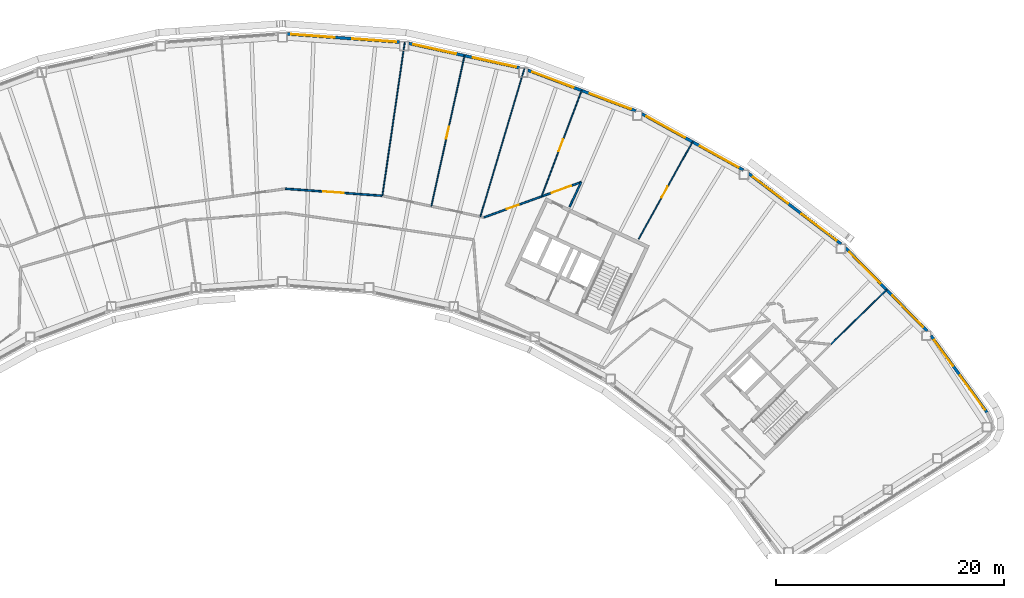
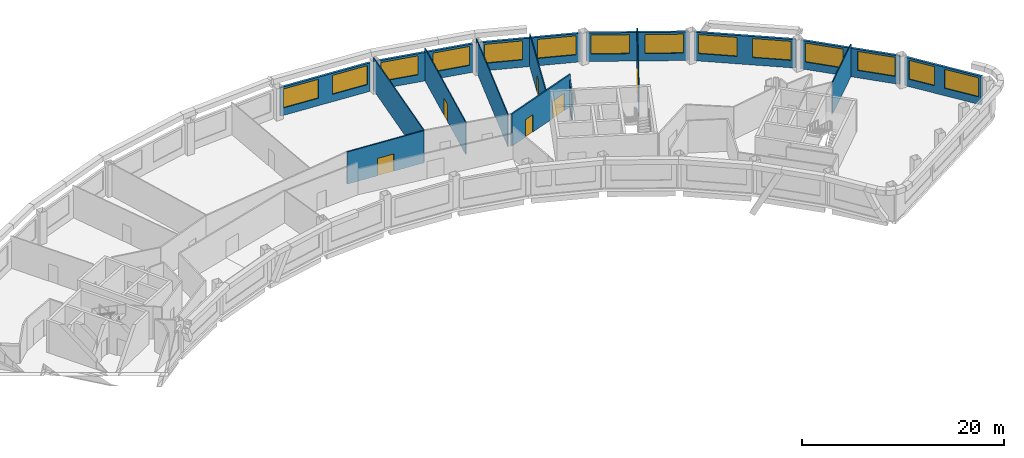
# One storey, part 10 of 13: 16 walls, 14 windows, 6 doors, 20 openings.
"""IFC4 building model written with IfcOpenShell, lengths in metres."""

from ifc_helpers import new_model, si_unit, direction, frame, frame_2d, origin, place, context, subcontext, project, spatial, rectangle, extrude, material, layer, layer_set, type_object, element, fill, save


model = new_model("IFC4")

# Units and contexts
model_context = context("Model", 3, precision=1e-05, world=origin(), true_north=direction((0.0, 1.0)))
body_context = subcontext(model_context, "Body", "Model", "MODEL_VIEW")
ifc_project = project(units=[si_unit("LENGTHUNIT", "METRE"), si_unit("AREAUNIT", "SQUARE_METRE"), si_unit("VOLUMEUNIT", "CUBIC_METRE"), si_unit("PLANEANGLEUNIT", "RADIAN"), si_unit("MASSUNIT", "GRAM", prefix="KILO")], contexts=[model_context])

# Site, building, storey
site_placement = place(None, origin())
site = spatial("IfcSite", under=ifc_project, at=site_placement, CompositionType="ELEMENT")
building_placement = place(site_placement, origin())
building = spatial("IfcBuilding", under=site, at=building_placement, Name="Tuul Gate Civic Tower", CompositionType="ELEMENT")
storey_placement = place(building_placement, frame((0.0, 0.0, 230.5)))
storey = spatial("IfcBuildingStorey", under=building, at=storey_placement, Name="Level 52", CompositionType="ELEMENT", Elevation=230.5)

# Wall, openings, doors
ifc_material_1 = material(Name="Gypsum board partition")
ifc_layer_1 = layer(ifc_material_1, 0.14990234375)
ifc_layer_set_1 = layer_set([ifc_layer_1], Name="Gypsum board partition")
wall_type_1 = type_object("IfcWallType", Name="Corridor wall P150", PredefinedType="PARTITIONING", material=ifc_layer_set_1)
wall_1_placement = place(storey_placement, frame((23.570556640625, 2.8076171875, 0.0), z_axis=(0.0, 0.0, 1.0), x_axis=(0.940140059984, 0.340788303222, 0.0)))
wall_1 = element("IfcWall", 1, at=wall_1_placement, inside=storey, type_object=wall_type_1, Name="p022", PredefinedType="PARTITIONING", context=body_context, shape_type="SweptSolid", body=[
    extrude(rectangle(XDim=9.055908203125, YDim=0.14990234375, at=frame_2d((4.52783203125, 0.0))), origin(), (0.0, 0.0, 1.0), 3.89990234375),
])
opening_1_placement = place(wall_1_placement, frame((6.312255859375, 0.0, 0.0)))
opening_1 = element("IfcOpeningElement", 2, at=opening_1_placement, cuts=wall_1, Name="Opening S-D03", PredefinedType="OPENING", context=body_context, shape_type="SweptSolid", body=[
    extrude(rectangle(XDim=1.800048828125, YDim=2.10009765625, at=frame_2d((0.89990234375, 1.050048828125))), frame((0.0, 0.0849609375, 0.0), z_axis=(0.0, -1.0, 0.0), x_axis=(1.0, 0.0, 0.0)), (0.0, 0.0, 1.0), 0.169921875),
])
opening_2_placement = place(wall_1_placement, frame((2.13427734375, 0.0, 0.0)))
opening_2 = element("IfcOpeningElement", 3, at=opening_2_placement, cuts=wall_1, Name="Opening S-D041", PredefinedType="OPENING", context=body_context, shape_type="SweptSolid", body=[
    extrude(rectangle(XDim=1.10009765625, YDim=2.10009765625, at=frame_2d((0.550048828125, 1.050048828125))), frame((0.0, 0.0849609375, 0.0), z_axis=(0.0, -1.0, 0.0), x_axis=(1.0, 0.0, 0.0)), (0.0, 0.0, 1.0), 0.169921875),
])
ifc_material_2 = material(Name="Timber door leaf", Category="wood")
door_type_1 = type_object("IfcDoorType", Name="Door D11", OperationType="NOTDEFINED", PredefinedType="DOOR", material=ifc_material_2)
door_1_placement = place(opening_2_placement, origin())
door_1 = element("IfcDoor", 4, at=door_1_placement, inside=storey, type_object=door_type_1, Name="Door S-D04", OperationType="SINGLE_SWING_RIGHT", OverallHeight=2.10009765625, OverallWidth=1.10009765625, PredefinedType="DOOR", context=body_context, shape_type="SweptSolid", body=[
    extrude(rectangle(XDim=1.10009765625, YDim=2.10009765625, at=frame_2d((0.550048828125, 1.050048828125))), frame((0.0, 0.02490234375, 0.0), z_axis=(0.0, -1.0, 0.0), x_axis=(1.0, 0.0, 0.0)), (0.0, 0.0, 1.0), 0.050048828125),
])
fill(opening_2, door_1)
ifc_material_3 = material(Name="Timber door leaf, double", Category="wood")
door_type_2 = type_object("IfcDoorType", Name="Door D18", OperationType="DOUBLE_DOOR_SINGLE_SWING", PredefinedType="DOOR", material=ifc_material_3)
door_2_placement = place(opening_1_placement, origin())
door_2 = element("IfcDoor", 5, at=door_2_placement, inside=storey, type_object=door_type_2, Name="Door S-D03", OperationType="DOUBLE_DOOR_SINGLE_SWING", OverallHeight=2.10009765625, OverallWidth=1.800048828125, PredefinedType="DOOR", context=body_context, shape_type="SweptSolid", body=[
    extrude(rectangle(XDim=1.800048828125, YDim=2.10009765625, at=frame_2d((0.89990234375, 1.050048828125))), frame((0.0, 0.02490234375, 0.0), z_axis=(0.0, -1.0, 0.0), x_axis=(1.0, 0.0, 0.0)), (0.0, 0.0, 1.0), 0.050048828125),
])
fill(opening_1, door_2)

# Wall, opening, door
wall_2_placement = place(storey_placement, frame((6.19775390625, 5.31201171875, 0.0), z_axis=(0.0, 0.0, 1.0), x_axis=(0.997387147359, -0.072241804261, 0.0)))
wall_2 = element("IfcWall", 6, at=wall_2_placement, inside=storey, type_object=wall_type_1, Name="p028", PredefinedType="PARTITIONING", context=body_context, shape_type="SweptSolid", body=[
    extrude(rectangle(XDim=8.458984375, YDim=0.14990234375, at=frame_2d((4.2294921875, 0.0))), origin(), (0.0, 0.0, 1.0), 3.89990234375),
])
opening_3_placement = place(wall_2_placement, frame((3.329345703125, 0.0, 0.0)))
opening_3 = element("IfcOpeningElement", 7, at=opening_3_placement, cuts=wall_2, Name="Opening S-D07", PredefinedType="OPENING", context=body_context, shape_type="SweptSolid", body=[
    extrude(rectangle(XDim=1.800048828125, YDim=2.10009765625, at=frame_2d((0.89990234375, 1.050048828125))), frame((0.0, 0.0849609375, 0.0), z_axis=(0.0, -1.0, 0.0), x_axis=(1.0, 0.0, 0.0)), (0.0, 0.0, 1.0), 0.169921875),
])
door_3_placement = place(opening_3_placement, origin())
door_3 = element("IfcDoor", 8, at=door_3_placement, inside=storey, type_object=door_type_2, Name="Door S-D07", OperationType="DOUBLE_DOOR_SINGLE_SWING", OverallHeight=2.10009765625, OverallWidth=1.800048828125, PredefinedType="DOOR", context=body_context, shape_type="SweptSolid", body=[
    extrude(rectangle(XDim=1.800048828125, YDim=2.10009765625, at=frame_2d((0.89990234375, 1.050048828125))), frame((0.0, 0.02490234375, 0.0), z_axis=(0.0, -1.0, 0.0), x_axis=(1.0, 0.0, 0.0)), (0.0, 0.0, 1.0), 0.050048828125),
])
fill(opening_3, door_3)

# Wall
ifc_material_4 = material(Name="Gypsum board partition")
ifc_layer_2 = layer(ifc_material_4, 0.14990234375)
ifc_layer_set_2 = layer_set([ifc_layer_2], Name="Gypsum board partition")
wall_type_2 = type_object("IfcWallType", Name="Corridor wall P150 3250 HIGH", PredefinedType="PARTITIONING", material=ifc_layer_set_2)
wall_3_placement = place(storey_placement, frame((31.07861328125, 3.7373046875, 0.0), z_axis=(0.0, 0.0, 1.0), x_axis=(0.42271133736, 0.906264379344, 0.0)))
element("IfcWall", 9, at=wall_3_placement, inside=storey, type_object=wall_type_2, Name="p021", PredefinedType="PARTITIONING", context=body_context, shape_type="SweptSolid", body=[
    extrude(rectangle(XDim=2.379638671875, YDim=0.14990234375, at=frame_2d((1.18994140625, 0.0))), origin(), (0.0, 0.0, 1.0), 3.25),
])

# Wall, openings, windows
ifc_material_5 = material(Name="Precast concrete C40/50", Category="concrete")
ifc_layer_3 = layer(ifc_material_5, 0.25)
ifc_layer_set_3 = layer_set([ifc_layer_3], Name="Precast concrete C40/50")
wall_type_3 = type_object("IfcWallType", Name="External wall", PredefinedType="STANDARD", material=ifc_layer_set_3)
wall_4_placement = place(storey_placement, frame((67.629150390625, -14.27978515625, 0.0), z_axis=(0.0, 0.0, 1.0), x_axis=(-0.589826404933, 0.807530068817, 0.0)))
wall_4 = element("IfcWall", 10, at=wall_4_placement, inside=storey, type_object=wall_type_3, Name="External wall", PredefinedType="STANDARD", context=body_context, shape_type="SweptSolid", body=[
    extrude(rectangle(XDim=8.336669921875, YDim=0.25, at=frame_2d((4.16845703125, 0.0))), origin(), (0.0, 0.0, 1.0), 3.449951171875),
])
opening_4_placement = place(wall_4_placement, frame((0.30078125, 0.0, 0.89990234375)))
opening_4 = element("IfcOpeningElement", 11, at=opening_4_placement, cuts=wall_4, Name="Opening W21", PredefinedType="OPENING", context=body_context, shape_type="SweptSolid", body=[
    extrude(rectangle(XDim=3.699951171875, YDim=2.300048828125, at=frame_2d((1.85009765625, 1.14990234375))), frame((0.0, 0.135009765625, 0.0), z_axis=(0.0, -1.0, 0.0), x_axis=(1.0, 0.0, 0.0)), (0.0, 0.0, 1.0), 0.27001953125),
])
opening_5_placement = place(wall_4_placement, frame((5.052001953125, 0.0, 0.89990234375)))
opening_5 = element("IfcOpeningElement", 12, at=opening_5_placement, cuts=wall_4, Name="Opening W23", PredefinedType="OPENING", context=body_context, shape_type="SweptSolid", body=[
    extrude(rectangle(XDim=2.800048828125, YDim=2.300048828125, at=frame_2d((1.39990234375, 1.14990234375))), frame((0.0, 0.135009765625, 0.0), z_axis=(0.0, -1.0, 0.0), x_axis=(1.0, 0.0, 0.0)), (0.0, 0.0, 1.0), 0.27001953125),
])
ifc_material_6 = material(Name="Glass", Category="glass")
window_type_1 = type_object("IfcWindowType", Name="Window W21 3700 x 2300", PartitioningType="SINGLE_PANEL", PredefinedType="WINDOW", material=ifc_material_6)
window_1_placement = place(opening_4_placement, origin())
window_1 = element("IfcWindow", 13, at=window_1_placement, inside=storey, type_object=window_type_1, Name="Window", OverallHeight=2.300048828125, OverallWidth=3.699951171875, PartitioningType="SINGLE_PANEL", PredefinedType="WINDOW", context=body_context, shape_type="SweptSolid", body=[
    extrude(rectangle(XDim=3.699951171875, YDim=2.300048828125, at=frame_2d((1.85009765625, 1.14990234375))), frame((0.0, 0.030029296875, 0.0), z_axis=(0.0, -1.0, 0.0), x_axis=(1.0, 0.0, 0.0)), (0.0, 0.0, 1.0), 0.06005859375),
])
fill(opening_4, window_1)
ifc_material_7 = material(Name="Glass", Category="glass")
window_type_2 = type_object("IfcWindowType", Name="Window W23 2800 x 2300", PartitioningType="SINGLE_PANEL", PredefinedType="WINDOW", material=ifc_material_7)
window_2_placement = place(opening_5_placement, origin())
window_2 = element("IfcWindow", 14, at=window_2_placement, inside=storey, type_object=window_type_2, Name="Window", OverallHeight=2.300048828125, OverallWidth=2.800048828125, PartitioningType="SINGLE_PANEL", PredefinedType="WINDOW", context=body_context, shape_type="SweptSolid", body=[
    extrude(rectangle(XDim=2.800048828125, YDim=2.300048828125, at=frame_2d((1.39990234375, 1.14990234375))), frame((0.0, 0.030029296875, 0.0), z_axis=(0.0, -1.0, 0.0), x_axis=(1.0, 0.0, 0.0)), (0.0, 0.0, 1.0), 0.06005859375),
])
fill(opening_5, window_2)

wall_5_placement = place(storey_placement, frame((62.3740234375, -7.14990234375, 0.0), z_axis=(0.0, 0.0, 1.0), x_axis=(-0.699995514974, 0.714147239031, 0.0)))
wall_5 = element("IfcWall", 15, at=wall_5_placement, inside=storey, type_object=wall_type_3, Name="External wall", PredefinedType="STANDARD", context=body_context, shape_type="SweptSolid", body=[
    extrude(rectangle(XDim=10.19580078125, YDim=0.25, at=frame_2d((5.097900390625, 0.0))), origin(), (0.0, 0.0, 1.0), 3.449951171875),
])
opening_6_placement = place(wall_5_placement, frame((0.485595703125, 0.0, 0.89990234375)))
opening_6 = element("IfcOpeningElement", 16, at=opening_6_placement, cuts=wall_5, Name="Opening W22", PredefinedType="OPENING", context=body_context, shape_type="SweptSolid", body=[
    extrude(rectangle(XDim=3.85009765625, YDim=2.300048828125, at=frame_2d((1.925048828125, 1.14990234375))), frame((0.0, 0.135009765625, 0.0), z_axis=(0.0, -1.0, 0.0), x_axis=(1.0, 0.0, 0.0)), (0.0, 0.0, 1.0), 0.27001953125),
])
opening_7_placement = place(wall_5_placement, frame((5.85693359375, 0.0, 0.89990234375)))
opening_7 = element("IfcOpeningElement", 17, at=opening_7_placement, cuts=wall_5, Name="Opening W22", PredefinedType="OPENING", context=body_context, shape_type="SweptSolid", body=[
    extrude(rectangle(XDim=3.85009765625, YDim=2.300048828125, at=frame_2d((1.925048828125, 1.14990234375))), frame((0.0, 0.135009765625, 0.0), z_axis=(0.0, -1.0, 0.0), x_axis=(1.0, 0.0, 0.0)), (0.0, 0.0, 1.0), 0.27001953125),
])
ifc_material_8 = material(Name="Glass", Category="glass")
window_type_3 = type_object("IfcWindowType", Name="Window W22 3850 x 2300", PartitioningType="SINGLE_PANEL", PredefinedType="WINDOW", material=ifc_material_8)
window_3_placement = place(opening_6_placement, origin())
window_3 = element("IfcWindow", 18, at=window_3_placement, inside=storey, type_object=window_type_3, Name="Window", OverallHeight=2.300048828125, OverallWidth=3.85009765625, PartitioningType="SINGLE_PANEL", PredefinedType="WINDOW", context=body_context, shape_type="SweptSolid", body=[
    extrude(rectangle(XDim=3.85009765625, YDim=2.300048828125, at=frame_2d((1.925048828125, 1.14990234375))), frame((0.0, 0.030029296875, 0.0), z_axis=(0.0, -1.0, 0.0), x_axis=(1.0, 0.0, 0.0)), (0.0, 0.0, 1.0), 0.06005859375),
])
fill(opening_6, window_3)
window_4_placement = place(opening_7_placement, origin())
window_4 = element("IfcWindow", 19, at=window_4_placement, inside=storey, type_object=window_type_3, Name="Window", OverallHeight=2.300048828125, OverallWidth=3.85009765625, PartitioningType="SINGLE_PANEL", PredefinedType="WINDOW", context=body_context, shape_type="SweptSolid", body=[
    extrude(rectangle(XDim=3.85009765625, YDim=2.300048828125, at=frame_2d((1.925048828125, 1.14990234375))), frame((0.0, 0.030029296875, 0.0), z_axis=(0.0, -1.0, 0.0), x_axis=(1.0, 0.0, 0.0)), (0.0, 0.0, 1.0), 0.06005859375),
])
fill(opening_7, window_4)

wall_6_placement = place(storey_placement, frame((54.84814453125, 0.47509765625, 0.0), z_axis=(0.0, 0.0, 1.0), x_axis=(-0.795611005019, 0.605807831488, 0.0)))
wall_6 = element("IfcWall", 20, at=wall_6_placement, inside=storey, type_object=wall_type_3, Name="External wall", PredefinedType="STANDARD", context=body_context, shape_type="SweptSolid", body=[
    extrude(rectangle(XDim=10.188720703125, YDim=0.25, at=frame_2d((5.09423828125, 0.0))), origin(), (0.0, 0.0, 1.0), 3.449951171875),
])
opening_8_placement = place(wall_6_placement, frame((0.494140625, 0.0, 0.89990234375)))
opening_8 = element("IfcOpeningElement", 21, at=opening_8_placement, cuts=wall_6, Name="Opening W22", PredefinedType="OPENING", context=body_context, shape_type="SweptSolid", body=[
    extrude(rectangle(XDim=3.85009765625, YDim=2.300048828125, at=frame_2d((1.925048828125, 1.14990234375))), frame((0.0, 0.135009765625, 0.0), z_axis=(0.0, -1.0, 0.0), x_axis=(1.0, 0.0, 0.0)), (0.0, 0.0, 1.0), 0.27001953125),
])
opening_9_placement = place(wall_6_placement, frame((5.865478515625, 0.0, 0.89990234375)))
opening_9 = element("IfcOpeningElement", 22, at=opening_9_placement, cuts=wall_6, Name="Opening W22", PredefinedType="OPENING", context=body_context, shape_type="SweptSolid", body=[
    extrude(rectangle(XDim=3.85009765625, YDim=2.300048828125, at=frame_2d((1.925048828125, 1.14990234375))), frame((0.0, 0.135009765625, 0.0), z_axis=(0.0, -1.0, 0.0), x_axis=(1.0, 0.0, 0.0)), (0.0, 0.0, 1.0), 0.27001953125),
])
window_5_placement = place(opening_8_placement, origin())
window_5 = element("IfcWindow", 23, at=window_5_placement, inside=storey, type_object=window_type_3, Name="Window", OverallHeight=2.300048828125, OverallWidth=3.85009765625, PartitioningType="SINGLE_PANEL", PredefinedType="WINDOW", context=body_context, shape_type="SweptSolid", body=[
    extrude(rectangle(XDim=3.85009765625, YDim=2.300048828125, at=frame_2d((1.925048828125, 1.14990234375))), frame((0.0, 0.030029296875, 0.0), z_axis=(0.0, -1.0, 0.0), x_axis=(1.0, 0.0, 0.0)), (0.0, 0.0, 1.0), 0.06005859375),
])
fill(opening_8, window_5)
window_6_placement = place(opening_9_placement, origin())
window_6 = element("IfcWindow", 24, at=window_6_placement, inside=storey, type_object=window_type_3, Name="Window", OverallHeight=2.300048828125, OverallWidth=3.85009765625, PartitioningType="SINGLE_PANEL", PredefinedType="WINDOW", context=body_context, shape_type="SweptSolid", body=[
    extrude(rectangle(XDim=3.85009765625, YDim=2.300048828125, at=frame_2d((1.925048828125, 1.14990234375))), frame((0.0, 0.030029296875, 0.0), z_axis=(0.0, -1.0, 0.0), x_axis=(1.0, 0.0, 0.0)), (0.0, 0.0, 1.0), 0.06005859375),
])
fill(opening_9, window_6)

wall_7_placement = place(storey_placement, frame((46.29150390625, 6.943115234375, 0.0), z_axis=(0.0, 0.0, 1.0), x_axis=(-0.874637325851, 0.484777833887, 0.0)))
wall_7 = element("IfcWall", 25, at=wall_7_placement, inside=storey, type_object=wall_type_3, Name="External wall", PredefinedType="STANDARD", context=body_context, shape_type="SweptSolid", body=[
    extrude(rectangle(XDim=10.162353515625, YDim=0.25, at=frame_2d((5.0810546875, 0.0))), origin(), (0.0, 0.0, 1.0), 3.449951171875),
])
opening_10_placement = place(wall_7_placement, frame((0.48974609375, 0.0, 0.89990234375)))
opening_10 = element("IfcOpeningElement", 26, at=opening_10_placement, cuts=wall_7, Name="Opening W22", PredefinedType="OPENING", context=body_context, shape_type="SweptSolid", body=[
    extrude(rectangle(XDim=3.85009765625, YDim=2.300048828125, at=frame_2d((1.925048828125, 1.14990234375))), frame((0.0, 0.135009765625, 0.0), z_axis=(0.0, -1.0, 0.0), x_axis=(1.0, 0.0, 0.0)), (0.0, 0.0, 1.0), 0.27001953125),
])
opening_11_placement = place(wall_7_placement, frame((5.861328125, 0.0, 0.89990234375)))
opening_11 = element("IfcOpeningElement", 27, at=opening_11_placement, cuts=wall_7, Name="Opening W22", PredefinedType="OPENING", context=body_context, shape_type="SweptSolid", body=[
    extrude(rectangle(XDim=3.85009765625, YDim=2.300048828125, at=frame_2d((1.925048828125, 1.14990234375))), frame((0.0, 0.135009765625, 0.0), z_axis=(0.0, -1.0, 0.0), x_axis=(1.0, 0.0, 0.0)), (0.0, 0.0, 1.0), 0.27001953125),
])
window_7_placement = place(opening_10_placement, origin())
window_7 = element("IfcWindow", 28, at=window_7_placement, inside=storey, type_object=window_type_3, Name="Window", OverallHeight=2.300048828125, OverallWidth=3.85009765625, PartitioningType="SINGLE_PANEL", PredefinedType="WINDOW", context=body_context, shape_type="SweptSolid", body=[
    extrude(rectangle(XDim=3.85009765625, YDim=2.300048828125, at=frame_2d((1.925048828125, 1.14990234375))), frame((0.0, 0.030029296875, 0.0), z_axis=(0.0, -1.0, 0.0), x_axis=(1.0, 0.0, 0.0)), (0.0, 0.0, 1.0), 0.06005859375),
])
fill(opening_10, window_7)
window_8_placement = place(opening_11_placement, origin())
window_8 = element("IfcWindow", 29, at=window_8_placement, inside=storey, type_object=window_type_3, Name="Window", OverallHeight=2.300048828125, OverallWidth=3.85009765625, PartitioningType="SINGLE_PANEL", PredefinedType="WINDOW", context=body_context, shape_type="SweptSolid", body=[
    extrude(rectangle(XDim=3.85009765625, YDim=2.300048828125, at=frame_2d((1.925048828125, 1.14990234375))), frame((0.0, 0.030029296875, 0.0), z_axis=(0.0, -1.0, 0.0), x_axis=(1.0, 0.0, 0.0)), (0.0, 0.0, 1.0), 0.06005859375),
])
fill(opening_11, window_8)

wall_8_placement = place(storey_placement, frame((36.865966796875, 12.118896484375, 0.0), z_axis=(0.0, 0.0, 1.0), x_axis=(-0.935373348384, 0.353661842912, 0.0)))
wall_8 = element("IfcWall", 30, at=wall_8_placement, inside=storey, type_object=wall_type_3, Name="External wall", PredefinedType="STANDARD", context=body_context, shape_type="SweptSolid", body=[
    extrude(rectangle(XDim=10.102783203125, YDim=0.25, at=frame_2d((5.05126953125, 0.0))), origin(), (0.0, 0.0, 1.0), 3.449951171875),
])
opening_12_placement = place(wall_8_placement, frame((0.458251953125, 0.0, 0.89990234375)))
opening_12 = element("IfcOpeningElement", 31, at=opening_12_placement, cuts=wall_8, Name="Opening W22", PredefinedType="OPENING", context=body_context, shape_type="SweptSolid", body=[
    extrude(rectangle(XDim=3.85009765625, YDim=2.300048828125, at=frame_2d((1.925048828125, 1.14990234375))), frame((0.0, 0.135009765625, 0.0), z_axis=(0.0, -1.0, 0.0), x_axis=(1.0, 0.0, 0.0)), (0.0, 0.0, 1.0), 0.27001953125),
])
opening_13_placement = place(wall_8_placement, frame((5.829345703125, 0.0, 0.89990234375)))
opening_13 = element("IfcOpeningElement", 32, at=opening_13_placement, cuts=wall_8, Name="Opening W22", PredefinedType="OPENING", context=body_context, shape_type="SweptSolid", body=[
    extrude(rectangle(XDim=3.85009765625, YDim=2.300048828125, at=frame_2d((1.925048828125, 1.14990234375))), frame((0.0, 0.135009765625, 0.0), z_axis=(0.0, -1.0, 0.0), x_axis=(1.0, 0.0, 0.0)), (0.0, 0.0, 1.0), 0.27001953125),
])
window_9_placement = place(opening_12_placement, origin())
window_9 = element("IfcWindow", 33, at=window_9_placement, inside=storey, type_object=window_type_3, Name="Window", OverallHeight=2.300048828125, OverallWidth=3.85009765625, PartitioningType="SINGLE_PANEL", PredefinedType="WINDOW", context=body_context, shape_type="SweptSolid", body=[
    extrude(rectangle(XDim=3.85009765625, YDim=2.300048828125, at=frame_2d((1.925048828125, 1.14990234375))), frame((0.0, 0.030029296875, 0.0), z_axis=(0.0, -1.0, 0.0), x_axis=(1.0, 0.0, 0.0)), (0.0, 0.0, 1.0), 0.06005859375),
])
fill(opening_12, window_9)
window_10_placement = place(opening_13_placement, origin())
window_10 = element("IfcWindow", 34, at=window_10_placement, inside=storey, type_object=window_type_3, Name="Window", OverallHeight=2.300048828125, OverallWidth=3.85009765625, PartitioningType="SINGLE_PANEL", PredefinedType="WINDOW", context=body_context, shape_type="SweptSolid", body=[
    extrude(rectangle(XDim=3.85009765625, YDim=2.300048828125, at=frame_2d((1.925048828125, 1.14990234375))), frame((0.0, 0.030029296875, 0.0), z_axis=(0.0, -1.0, 0.0), x_axis=(1.0, 0.0, 0.0)), (0.0, 0.0, 1.0), 0.06005859375),
])
fill(opening_13, window_10)

wall_9_placement = place(storey_placement, frame((26.70947265625, 15.89599609375, 0.0), z_axis=(0.0, 0.0, 1.0), x_axis=(-0.976568745671, 0.215205680636, 0.0)))
wall_9 = element("IfcWall", 35, at=wall_9_placement, inside=storey, type_object=wall_type_3, Name="External wall", PredefinedType="STANDARD", context=body_context, shape_type="SweptSolid", body=[
    extrude(rectangle(XDim=9.95361328125, YDim=0.25, at=frame_2d((4.976806640625, 0.0))), origin(), (0.0, 0.0, 1.0), 3.449951171875),
])
opening_14_placement = place(wall_9_placement, frame((0.34228515625, 0.0, 0.89990234375)))
opening_14 = element("IfcOpeningElement", 36, at=opening_14_placement, cuts=wall_9, Name="Opening W22", PredefinedType="OPENING", context=body_context, shape_type="SweptSolid", body=[
    extrude(rectangle(XDim=3.85009765625, YDim=2.300048828125, at=frame_2d((1.925048828125, 1.14990234375))), frame((0.0, 0.135009765625, 0.0), z_axis=(0.0, -1.0, 0.0), x_axis=(1.0, 0.0, 0.0)), (0.0, 0.0, 1.0), 0.27001953125),
])
opening_15_placement = place(wall_9_placement, frame((5.713623046875, 0.0, 0.89990234375)))
opening_15 = element("IfcOpeningElement", 37, at=opening_15_placement, cuts=wall_9, Name="Opening W22", PredefinedType="OPENING", context=body_context, shape_type="SweptSolid", body=[
    extrude(rectangle(XDim=3.85009765625, YDim=2.300048828125, at=frame_2d((1.925048828125, 1.14990234375))), frame((0.0, 0.135009765625, 0.0), z_axis=(0.0, -1.0, 0.0), x_axis=(1.0, 0.0, 0.0)), (0.0, 0.0, 1.0), 0.27001953125),
])
window_11_placement = place(opening_14_placement, origin())
window_11 = element("IfcWindow", 38, at=window_11_placement, inside=storey, type_object=window_type_3, Name="Window", OverallHeight=2.300048828125, OverallWidth=3.85009765625, PartitioningType="SINGLE_PANEL", PredefinedType="WINDOW", context=body_context, shape_type="SweptSolid", body=[
    extrude(rectangle(XDim=3.85009765625, YDim=2.300048828125, at=frame_2d((1.925048828125, 1.14990234375))), frame((0.0, 0.030029296875, 0.0), z_axis=(0.0, -1.0, 0.0), x_axis=(1.0, 0.0, 0.0)), (0.0, 0.0, 1.0), 0.06005859375),
])
fill(opening_14, window_11)
window_12_placement = place(opening_15_placement, origin())
window_12 = element("IfcWindow", 39, at=window_12_placement, inside=storey, type_object=window_type_3, Name="Window", OverallHeight=2.300048828125, OverallWidth=3.85009765625, PartitioningType="SINGLE_PANEL", PredefinedType="WINDOW", context=body_context, shape_type="SweptSolid", body=[
    extrude(rectangle(XDim=3.85009765625, YDim=2.300048828125, at=frame_2d((1.925048828125, 1.14990234375))), frame((0.0, 0.030029296875, 0.0), z_axis=(0.0, -1.0, 0.0), x_axis=(1.0, 0.0, 0.0)), (0.0, 0.0, 1.0), 0.06005859375),
])
fill(opening_15, window_12)

wall_10_placement = place(storey_placement, frame((16.18896484375, 18.1484375, 0.0), z_axis=(0.0, 0.0, 1.0), x_axis=(-0.997381695554, 0.072317033774, 0.0)))
wall_10 = element("IfcWall", 40, at=wall_10_placement, inside=storey, type_object=wall_type_3, Name="External wall", PredefinedType="STANDARD", context=body_context, shape_type="SweptSolid", body=[
    extrude(rectangle(XDim=9.874755859375, YDim=0.25, at=frame_2d((4.9375, 0.0))), origin(), (0.0, 0.0, 1.0), 3.449951171875),
])
opening_16_placement = place(wall_10_placement, frame((0.303466796875, 0.0, 0.89990234375)))
opening_16 = element("IfcOpeningElement", 41, at=opening_16_placement, cuts=wall_10, Name="Opening W22", PredefinedType="OPENING", context=body_context, shape_type="SweptSolid", body=[
    extrude(rectangle(XDim=3.85009765625, YDim=2.300048828125, at=frame_2d((1.925048828125, 1.14990234375))), frame((0.0, 0.135009765625, 0.0), z_axis=(0.0, -1.0, 0.0), x_axis=(1.0, 0.0, 0.0)), (0.0, 0.0, 1.0), 0.27001953125),
])
opening_17_placement = place(wall_10_placement, frame((5.674560546875, 0.0, 0.89990234375)))
opening_17 = element("IfcOpeningElement", 42, at=opening_17_placement, cuts=wall_10, Name="Opening W22", PredefinedType="OPENING", context=body_context, shape_type="SweptSolid", body=[
    extrude(rectangle(XDim=3.85009765625, YDim=2.300048828125, at=frame_2d((1.925048828125, 1.14990234375))), frame((0.0, 0.135009765625, 0.0), z_axis=(0.0, -1.0, 0.0), x_axis=(1.0, 0.0, 0.0)), (0.0, 0.0, 1.0), 0.27001953125),
])
window_13_placement = place(opening_16_placement, origin())
window_13 = element("IfcWindow", 43, at=window_13_placement, inside=storey, type_object=window_type_3, Name="Window", OverallHeight=2.300048828125, OverallWidth=3.85009765625, PartitioningType="SINGLE_PANEL", PredefinedType="WINDOW", context=body_context, shape_type="SweptSolid", body=[
    extrude(rectangle(XDim=3.85009765625, YDim=2.300048828125, at=frame_2d((1.925048828125, 1.14990234375))), frame((0.0, 0.030029296875, 0.0), z_axis=(0.0, -1.0, 0.0), x_axis=(1.0, 0.0, 0.0)), (0.0, 0.0, 1.0), 0.06005859375),
])
fill(opening_16, window_13)
window_14_placement = place(opening_17_placement, origin())
window_14 = element("IfcWindow", 44, at=window_14_placement, inside=storey, type_object=window_type_3, Name="Window", OverallHeight=2.300048828125, OverallWidth=3.85009765625, PartitioningType="SINGLE_PANEL", PredefinedType="WINDOW", context=body_context, shape_type="SweptSolid", body=[
    extrude(rectangle(XDim=3.85009765625, YDim=2.300048828125, at=frame_2d((1.925048828125, 1.14990234375))), frame((0.0, 0.030029296875, 0.0), z_axis=(0.0, -1.0, 0.0), x_axis=(1.0, 0.0, 0.0)), (0.0, 0.0, 1.0), 0.06005859375),
])
fill(opening_17, window_14)

# Wall
ifc_material_9 = material(Name="Gypsum board partition")
ifc_layer_4 = layer(ifc_material_9, 0.10009765625)
ifc_layer_set_4 = layer_set([ifc_layer_4], Name="Gypsum board partition")
wall_type_4 = type_object("IfcWallType", Name="Partition P100", PredefinedType="PARTITIONING", material=ifc_layer_set_4)
wall_11_placement = place(storey_placement, frame((53.908203125, -8.345947265625, 0.0), z_axis=(0.0, 0.0, 1.0), x_axis=(0.714335438897, 0.699803458648, 0.0)))
element("IfcWall", 45, at=wall_11_placement, inside=storey, type_object=wall_type_4, Name="p001", PredefinedType="PARTITIONING", context=body_context, shape_type="SweptSolid", body=[
    extrude(rectangle(XDim=6.88818359375, YDim=0.10009765625, at=frame_2d((3.444091796875, 0.0))), origin(), (0.0, 0.0, 1.0), 3.89990234375),
])

# Wall, opening, door
wall_12_placement = place(storey_placement, frame((37.12109375, 0.919921875, 0.0), z_axis=(0.0, 0.0, 1.0), x_axis=(0.484832219847, 0.874607179595, 0.0)))
wall_12 = element("IfcWall", 46, at=wall_12_placement, inside=storey, type_object=wall_type_4, Name="p009", PredefinedType="PARTITIONING", context=body_context, shape_type="SweptSolid", body=[
    extrude(rectangle(XDim=9.71875, YDim=0.10009765625, at=frame_2d((4.859375, 0.0))), origin(), (0.0, 0.0, 1.0), 3.89990234375),
])
opening_18_placement = place(wall_12_placement, frame((4.144287109375, 0.0, 0.0)))
opening_18 = element("IfcOpeningElement", 47, at=opening_18_placement, cuts=wall_12, Name="Opening S-D21", PredefinedType="OPENING", context=body_context, shape_type="SweptSolid", body=[
    extrude(rectangle(XDim=1.10009765625, YDim=2.10009765625, at=frame_2d((0.550048828125, 1.050048828125))), frame((0.0, 0.06005859375, 0.0), z_axis=(0.0, -1.0, 0.0), x_axis=(1.0, 0.0, 0.0)), (0.0, 0.0, 1.0), 0.1201171875),
])
door_4_placement = place(opening_18_placement, origin())
door_4 = element("IfcDoor", 48, at=door_4_placement, inside=storey, type_object=door_type_1, Name="Door S-D21", OperationType="SINGLE_SWING_RIGHT", OverallHeight=2.10009765625, OverallWidth=1.10009765625, PredefinedType="DOOR", context=body_context, shape_type="SweptSolid", body=[
    extrude(rectangle(XDim=1.10009765625, YDim=2.10009765625, at=frame_2d((0.550048828125, 1.050048828125))), frame((0.0, 0.02490234375, 0.0), z_axis=(0.0, -1.0, 0.0), x_axis=(1.0, 0.0, 0.0)), (0.0, 0.0, 1.0), 0.050048828125),
])
fill(opening_18, door_4)

wall_13_placement = place(storey_placement, frame((28.61767578125, 4.636962890625, 0.0), z_axis=(0.0, 0.0, 1.0), x_axis=(0.35371114475, 0.935354706023, 0.0)))
wall_13 = element("IfcWall", 49, at=wall_13_placement, inside=storey, type_object=wall_type_4, Name="p020", PredefinedType="PARTITIONING", context=body_context, shape_type="SweptSolid", body=[
    extrude(rectangle(XDim=9.920654296875, YDim=0.10009765625, at=frame_2d((4.96044921875, 0.0))), origin(), (0.0, 0.0, 1.0), 3.89990234375),
])
opening_19_placement = place(wall_13_placement, frame((4.245361328125, 0.0, 0.0)))
opening_19 = element("IfcOpeningElement", 50, at=opening_19_placement, cuts=wall_13, Name="Opening S-D22", PredefinedType="OPENING", context=body_context, shape_type="SweptSolid", body=[
    extrude(rectangle(XDim=1.10009765625, YDim=2.10009765625, at=frame_2d((0.550048828125, 1.050048828125))), frame((0.0, 0.06005859375, 0.0), z_axis=(0.0, -1.0, 0.0), x_axis=(1.0, 0.0, 0.0)), (0.0, 0.0, 1.0), 0.1201171875),
])
door_5_placement = place(opening_19_placement, origin())
door_5 = element("IfcDoor", 51, at=door_5_placement, inside=storey, type_object=door_type_1, Name="Door S-D22", OperationType="SINGLE_SWING_RIGHT", OverallHeight=2.10009765625, OverallWidth=1.10009765625, PredefinedType="DOOR", context=body_context, shape_type="SweptSolid", body=[
    extrude(rectangle(XDim=1.10009765625, YDim=2.10009765625, at=frame_2d((0.550048828125, 1.050048828125))), frame((0.0, 0.02490234375, 0.0), z_axis=(0.0, -1.0, 0.0), x_axis=(1.0, 0.0, 0.0)), (0.0, 0.0, 1.0), 0.050048828125),
])
fill(opening_19, door_5)

# Wall
wall_14_placement = place(storey_placement, frame((23.25927734375, 2.8701171875, 0.0), z_axis=(0.0, 0.0, 1.0), x_axis=(0.285209106961, 0.958465317738, 0.0)))
element("IfcWall", 52, at=wall_14_placement, inside=storey, type_object=wall_type_4, Name="p023", PredefinedType="PARTITIONING", context=body_context, shape_type="SweptSolid", body=[
    extrude(rectangle(XDim=13.50341796875, YDim=0.10009765625, at=frame_2d((6.751708984375, 0.0))), origin(), (0.0, 0.0, 1.0), 3.89990234375),
])

# Wall, opening, door
wall_15_placement = place(storey_placement, frame((18.9677734375, 3.78125, 0.0), z_axis=(0.0, 0.0, 1.0), x_axis=(0.215228095488, 0.976563805858, 0.0)))
wall_15 = element("IfcWall", 53, at=wall_15_placement, inside=storey, type_object=wall_type_4, Name="p025", PredefinedType="PARTITIONING", context=body_context, shape_type="SweptSolid", body=[
    extrude(rectangle(XDim=13.501953125, YDim=0.10009765625, at=frame_2d((6.7509765625, 0.0))), origin(), (0.0, 0.0, 1.0), 3.89990234375),
])
opening_20_placement = place(wall_15_placement, frame((6.035888671875, 0.0, 0.0)))
opening_20 = element("IfcOpeningElement", 54, at=opening_20_placement, cuts=wall_15, Name="Opening S-D23", PredefinedType="OPENING", context=body_context, shape_type="SweptSolid", body=[
    extrude(rectangle(XDim=1.10009765625, YDim=2.10009765625, at=frame_2d((0.550048828125, 1.050048828125))), frame((0.0, 0.06005859375, 0.0), z_axis=(0.0, -1.0, 0.0), x_axis=(1.0, 0.0, 0.0)), (0.0, 0.0, 1.0), 0.1201171875),
])
door_6_placement = place(opening_20_placement, frame((1.10009765625, 0.0, 0.0), z_axis=(0.0, 0.0, 1.0), x_axis=(-1.0, 0.0, 0.0)))
door_6 = element("IfcDoor", 55, at=door_6_placement, inside=storey, type_object=door_type_1, Name="Door S-D23", OperationType="SINGLE_SWING_LEFT", OverallHeight=2.10009765625, OverallWidth=1.10009765625, PredefinedType="DOOR", context=body_context, shape_type="SweptSolid", body=[
    extrude(rectangle(XDim=1.10009765625, YDim=2.10009765625, at=frame_2d((0.550048828125, 1.050048828125))), frame((0.0, 0.02490234375, 0.0), z_axis=(0.0, -1.0, 0.0), x_axis=(1.0, 0.0, 0.0)), (0.0, 0.0, 1.0), 0.050048828125),
])
fill(opening_20, door_6)

# Wall
wall_16_placement = place(storey_placement, frame((14.680908203125, 4.691162109375, 0.0), z_axis=(0.0, 0.0, 1.0), x_axis=(0.144113127664, 0.989561219145, 0.0)))
element("IfcWall", 56, at=wall_16_placement, inside=storey, type_object=wall_type_4, Name="p026", PredefinedType="PARTITIONING", context=body_context, shape_type="SweptSolid", body=[
    extrude(rectangle(XDim=13.5712890625, YDim=0.10009765625, at=frame_2d((6.78564453125, 0.0))), origin(), (0.0, 0.0, 1.0), 3.89990234375),
])

save(model, "model.ifc")
